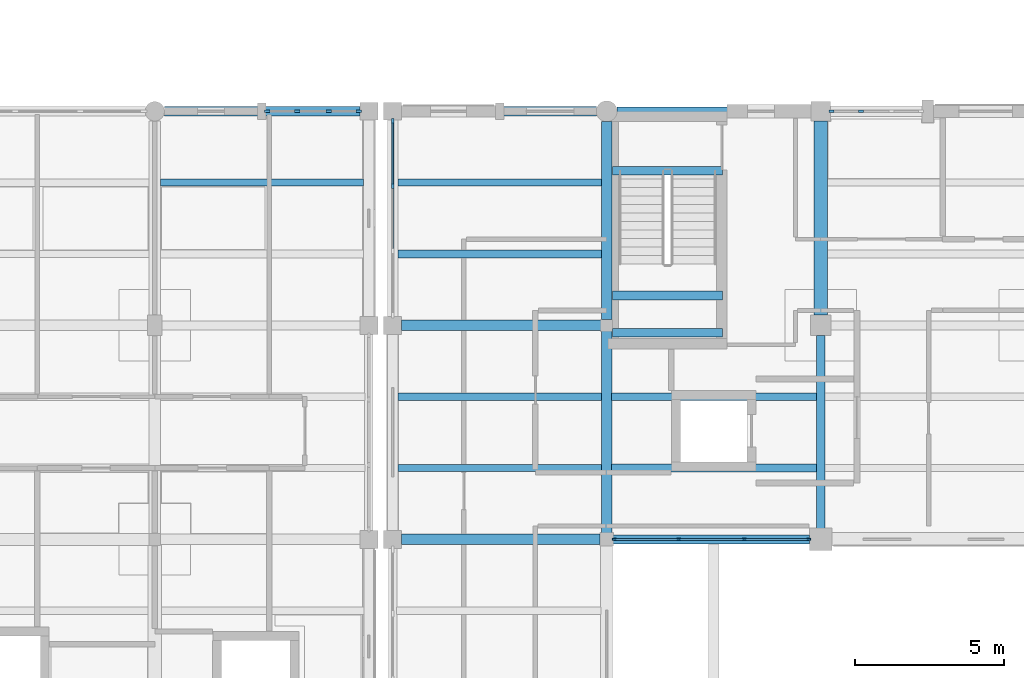
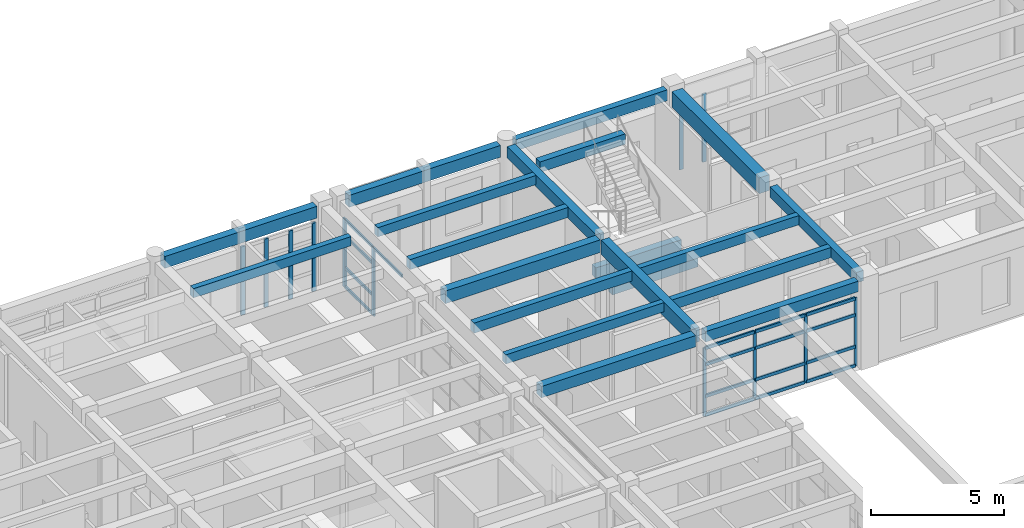
# One storey, part 34 of 110: 29 members, 20 beams, 4 elements without a shape of their own.
"""IFC4 building model written with IfcOpenShell, lengths in metres."""

from ifc_helpers import new_model, si_unit, direction, frame, origin, origin_2d, place, context, subcontext, project, spatial, rectangle, extrude, material, material_profile, profile_set, type_object, element, aggregate, save


model = new_model("IFC4")

# Units and contexts
model_context = context("Model", 3, precision=1e-05, world=origin(), true_north=direction((0.0, 1.0)))
body_context = subcontext(model_context, "Body", "Model", "MODEL_VIEW")
ifc_project = project(units=[si_unit("LENGTHUNIT", "METRE"), si_unit("AREAUNIT", "SQUARE_METRE"), si_unit("VOLUMEUNIT", "CUBIC_METRE"), si_unit("PLANEANGLEUNIT", "RADIAN"), si_unit("MASSUNIT", "GRAM", prefix="KILO")], contexts=[model_context])

# Site, building, storey
site_placement = place(None, origin())
site = spatial("IfcSite", under=ifc_project, at=site_placement, CompositionType="ELEMENT")
building_placement = place(site_placement, origin())
building = spatial("IfcBuilding", under=site, at=building_placement, Name="Steenspoor Specialist Clinic", CompositionType="ELEMENT")
storey_placement = place(building_placement, frame((0.0, 0.0, 4.800048828125)))
storey = spatial("IfcBuildingStorey", under=building, at=storey_placement, Name="L01", CompositionType="ELEMENT", Elevation=4.800048828125)

# Beams
ifc_material_1 = material(Name="Concrete C35/45", Category="concrete")
ifc_material_profile_1 = material_profile(ifc_material_1, rectangle(XDim=0.300048828125, YDim=0.47998046875, at=origin_2d()), Name="RC-BM-300X480")
ifc_profile_set_1 = profile_set([ifc_material_profile_1], Name="Concrete C35/45")
beam_type_1 = type_object("IfcBeamType", Name="BM-RC-300X480", PredefinedType="BEAM", material=ifc_profile_set_1)
for number, where, z_axis, x_axis, name in (
    (1, (59.800048828125, 102.14990234375, 1.659912109375), (1.0, 0.0, 0.0), (0.0, 1.0, 0.0), "Stair Mid-Landing Bearer 1 ST-V4A L01"),
    (2, (59.800048828125, 100.89990234375, 1.659912109375), (1.0, 0.0, 0.0), (0.0, 1.0, 0.0), "Stair Mid-Landing Bearer 2 ST-V4A L01"),
    (3, (59.800048828125, 106.35009765625, 3.9599609375), (1.0, 0.0, 0.0), (0.0, 1.0, 0.0), "Stair Well Trimmer Beam ST-V4A L01"),
):
    element("IfcBeam", number, at=place(storey_placement, frame(where, z_axis=z_axis, x_axis=x_axis)), inside=storey, type_object=beam_type_1, Name=name, PredefinedType="BEAM", context=body_context, shape_type="SweptSolid", body=[
        extrude(rectangle(XDim=0.300048828125, YDim=0.47998046875, at=origin_2d()), origin(), (0.0, 0.0, 1.0), 3.699951171875),
    ])
beam_1_placement = place(storey_placement, frame((59.820068359375, 93.949951171875, 3.7099609375), z_axis=(1.0, 0.0, 0.0), x_axis=(0.0, 1.0, 0.0)))
element("IfcBeam", 4, at=beam_1_placement, inside=storey, type_object=beam_type_1, Name="BM-V4-L01-X0498", PredefinedType="BEAM", context=body_context, shape_type="SweptSolid", body=[
    extrude(rectangle(XDim=0.300048828125, YDim=0.47998046875, at=origin_2d()), origin(), (0.0, 0.0, 1.0), 6.60986328125),
])
beam_2_placement = place(storey_placement, frame((66.800048828125, 94.320068359375, 3.7099609375), z_axis=(0.0, 1.0, 0.0), x_axis=(-1.0, 0.0, 0.0)))
element("IfcBeam", 5, at=beam_2_placement, inside=storey, type_object=beam_type_1, Name="BM-V4-L01-Y0535", PredefinedType="BEAM", context=body_context, shape_type="SweptSolid", body=[
    extrude(rectangle(XDim=0.300048828125, YDim=0.47998046875, at=origin_2d()), origin(), (0.0, 0.0, 1.0), 6.48486328125),
])
ifc_material_profile_2 = material_profile(ifc_material_1, rectangle(XDim=0.35009765625, YDim=0.52001953125, at=origin_2d()), Name="RC-BM-350X520")
ifc_profile_set_2 = profile_set([ifc_material_profile_2], Name="Concrete C35/45")
beam_type_2 = type_object("IfcBeamType", Name="BM-RC-350X520", PredefinedType="BEAM", material=ifc_profile_set_2)
beam_3_placement = place(storey_placement, frame((52.695068359375, 93.949951171875, 3.68994140625), z_axis=(1.0, 0.0, 0.0), x_axis=(0.0, 1.0, 0.0)))
element("IfcBeam", 6, at=beam_3_placement, inside=storey, type_object=beam_type_2, Name="BM-V4-L01-X0497", PredefinedType="BEAM", context=body_context, shape_type="SweptSolid", body=[
    extrude(rectangle(XDim=0.35009765625, YDim=0.52001953125, at=origin_2d()), origin(), (0.0, 0.0, 1.0), 6.684814453125),
])
beam_4_placement = place(storey_placement, frame((59.60009765625, 101.344970703125, 3.68994140625), z_axis=(0.0, 1.0, 0.0), x_axis=(-1.0, 0.0, 0.0)))
element("IfcBeam", 7, at=beam_4_placement, inside=storey, type_object=beam_type_2, Name="BM-V4-L01-Y0532", PredefinedType="BEAM", context=body_context, shape_type="SweptSolid", body=[
    extrude(rectangle(XDim=0.35009765625, YDim=0.52001953125, at=origin_2d()), origin(), (0.0, 0.0, 1.0), 6.659912109375),
])
ifc_material_profile_3 = material_profile(ifc_material_1, rectangle(XDim=0.35009765625, YDim=0.580078125, at=origin_2d()), Name="RC-BM-350X580")
ifc_profile_set_3 = profile_set([ifc_material_profile_3], Name="Concrete C35/45")
beam_type_3 = type_object("IfcBeamType", Name="BM-RC-350X580", PredefinedType="BEAM", material=ifc_profile_set_3)
beam_5_placement = place(storey_placement, frame((52.695068359375, 101.14990234375, 3.659912109375), z_axis=(1.0, 0.0, 0.0), x_axis=(0.0, 1.0, 0.0)))
element("IfcBeam", 8, at=beam_5_placement, inside=storey, type_object=beam_type_3, Name="BM-V4-L01-X0506", PredefinedType="BEAM", context=body_context, shape_type="SweptSolid", body=[
    extrude(rectangle(XDim=0.35009765625, YDim=0.580078125, at=origin_2d()), origin(), (0.0, 0.0, 1.0), 6.7099609375),
])
ifc_material_profile_4 = material_profile(ifc_material_1, rectangle(XDim=0.35009765625, YDim=0.64990234375, at=origin_2d()), Name="RC-BM-350X650")
ifc_profile_set_4 = profile_set([ifc_material_profile_4], Name="Concrete C35/45")
beam_type_4 = type_object("IfcBeamType", Name="BM-RC-350X650", PredefinedType="BEAM", material=ifc_profile_set_4)
beam_6_placement = place(storey_placement, frame((59.60009765625, 94.169921875, 3.625), z_axis=(0.0, 1.0, 0.0), x_axis=(-1.0, 0.0, 0.0)))
element("IfcBeam", 9, at=beam_6_placement, inside=storey, type_object=beam_type_4, Name="BM-V4-L01-Y0531", PredefinedType="BEAM", context=body_context, shape_type="SweptSolid", body=[
    extrude(rectangle(XDim=0.35009765625, YDim=0.64990234375, at=origin_2d()), origin(), (0.0, 0.0, 1.0), 6.78515625),
])
ifc_material_profile_5 = material_profile(ifc_material_1, rectangle(XDim=0.449951171875, YDim=0.719970703125, at=origin_2d()), Name="RC-BM-450X720")
ifc_profile_set_5 = profile_set([ifc_material_profile_5], Name="Concrete C35/45")
beam_type_5 = type_object("IfcBeamType", Name="BM-RC-450X720", PredefinedType="BEAM", material=ifc_profile_set_5)
beam_7_placement = place(storey_placement, frame((66.800048828125, 101.4951171875, 3.58984375), z_axis=(0.0, 1.0, 0.0), x_axis=(-1.0, 0.0, 0.0)))
element("IfcBeam", 10, at=beam_7_placement, inside=storey, type_object=beam_type_5, Name="BM-V4-L01-Y0536", PredefinedType="BEAM", context=body_context, shape_type="SweptSolid", body=[
    extrude(rectangle(XDim=0.449951171875, YDim=0.719970703125, at=origin_2d()), origin(), (0.0, 0.0, 1.0), 6.534912109375),
])

# Curtain wall, members
ifc_material_2 = material(Name="Thermally broken aluminium and low-emissivity glass", Category="aluminium")
curtain_wall_type_1 = type_object("IfcCurtainWallType", Name="CW-L00-660X415", PredefinedType="USERDEFINED", material=ifc_material_2)
curtain_wall_1_placement = place(storey_placement, origin())
curtain_wall_1 = element("IfcCurtainWall", 11, at=curtain_wall_1_placement, inside=storey, type_object=curtain_wall_type_1, Name="Unitised Curtain Wall CW-V4-L01-076", ObjectType="UNITISED GLAZING", PredefinedType="USERDEFINED")
ifc_material_3 = material(Name="Thermally broken aluminium 6063-T6", Category="aluminium")
ifc_material_profile_6 = material_profile(ifc_material_3, rectangle(XDim=0.06005859375, YDim=0.135009765625, at=origin_2d()), Name="CWM-60X135")
ifc_profile_set_6 = profile_set([ifc_material_profile_6], Name="Thermally broken aluminium 6063-T6")
member_type_1 = type_object("IfcMemberType", Name="CW-MULL-60X135", PredefinedType="MULLION", material=ifc_profile_set_6)
member_1_placement = place(storey_placement, frame((66.39501953125, 93.949951171875, 0.0), z_axis=(0.0, 0.0, 1.0), x_axis=(0.0, -1.0, 0.0)))
member_1 = element("IfcMember", 12, at=member_1_placement, type_object=member_type_1, Name="CW-04 mullion 1", PredefinedType="MULLION", context=body_context, shape_type="SweptSolid", body=[
    extrude(rectangle(XDim=0.06005859375, YDim=0.135009765625, at=origin_2d()), origin(), (0.0, 0.0, 1.0), 3.1298828125),
])
member_2_placement = place(storey_placement, frame((64.22509765625, 93.949951171875, 0.0), z_axis=(0.0, 0.0, 1.0), x_axis=(0.0, -1.0, 0.0)))
member_2 = element("IfcMember", 13, at=member_2_placement, type_object=member_type_1, Name="CW-04 mullion 2", PredefinedType="MULLION", context=body_context, shape_type="SweptSolid", body=[
    extrude(rectangle(XDim=0.06005859375, YDim=0.135009765625, at=origin_2d()), origin(), (0.0, 0.0, 1.0), 3.1298828125),
])
member_3_placement = place(storey_placement, frame((62.02490234375, 93.949951171875, 0.0), z_axis=(0.0, 0.0, 1.0), x_axis=(0.0, -1.0, 0.0)))
member_3 = element("IfcMember", 14, at=member_3_placement, type_object=member_type_1, Name="CW-04 mullion 3", PredefinedType="MULLION", context=body_context, shape_type="SweptSolid", body=[
    extrude(rectangle(XDim=0.06005859375, YDim=0.135009765625, at=origin_2d()), origin(), (0.0, 0.0, 1.0), 3.1298828125),
])
member_4_placement = place(storey_placement, frame((59.85498046875, 93.949951171875, 0.0), z_axis=(0.0, 0.0, 1.0), x_axis=(0.0, -1.0, 0.0)))
member_4 = element("IfcMember", 15, at=member_4_placement, type_object=member_type_1, Name="CW-04 mullion 4", PredefinedType="MULLION", context=body_context, shape_type="SweptSolid", body=[
    extrude(rectangle(XDim=0.06005859375, YDim=0.135009765625, at=origin_2d()), origin(), (0.0, 0.0, 1.0), 3.1298828125),
])

curtain_wall_type_2 = type_object("IfcCurtainWallType", Name="CW-WLK-640X340", PredefinedType="USERDEFINED", material=ifc_material_2)
curtain_wall_2_placement = place(storey_placement, origin())
curtain_wall_2 = element("IfcCurtainWall", 16, at=curtain_wall_2_placement, inside=storey, type_object=curtain_wall_type_2, Name="Unitised Curtain Wall CW-V4-L01-068", ObjectType="UNITISED GLAZING", PredefinedType="USERDEFINED")
ifc_material_profile_7 = material_profile(ifc_material_3, rectangle(XDim=0.070068359375, YDim=0.1650390625, at=origin_2d()), Name="CWM-70X165")
ifc_profile_set_7 = profile_set([ifc_material_profile_7], Name="Thermally broken aluminium 6063-T6")
member_type_2 = type_object("IfcMemberType", Name="CW-MULL-70X165", PredefinedType="MULLION", material=ifc_profile_set_7)
member_5_placement = place(storey_placement, frame((67.159912109375, 108.35009765625, 0.0), z_axis=(0.0, 0.0, 1.0), x_axis=(0.0, 1.0, 0.0)))
member_5 = element("IfcMember", 17, at=member_5_placement, type_object=member_type_2, Name="CW-20 mullion 1", PredefinedType="MULLION", context=body_context, shape_type="SweptSolid", body=[
    extrude(rectangle(XDim=0.070068359375, YDim=0.1650390625, at=origin_2d()), origin(), (0.0, 0.0, 1.0), 3.1298828125),
])
member_6_placement = place(storey_placement, frame((68.1533203125, 108.35009765625, 0.0), z_axis=(0.0, 0.0, 1.0), x_axis=(0.0, 1.0, 0.0)))
member_6 = element("IfcMember", 18, at=member_6_placement, type_object=member_type_2, Name="CW-20 mullion 2", PredefinedType="MULLION", context=body_context, shape_type="SweptSolid", body=[
    extrude(rectangle(XDim=0.070068359375, YDim=0.1650390625, at=origin_2d()), origin(), (0.0, 0.0, 1.0), 3.1298828125),
])
aggregate(curtain_wall_2, [member_5, member_6])

curtain_wall_type_3 = type_object("IfcCurtainWallType", Name="CW-SCR-360X320", PredefinedType="USERDEFINED", material=ifc_material_2)
curtain_wall_3_placement = place(storey_placement, origin())
curtain_wall_3 = element("IfcCurtainWall", 19, at=curtain_wall_3_placement, inside=storey, type_object=curtain_wall_type_3, Name="Unitised Curtain Wall CW-V4-L01-067", ObjectType="UNITISED GLAZING", PredefinedType="USERDEFINED")
ifc_material_profile_8 = material_profile(ifc_material_3, rectangle(XDim=0.080078125, YDim=0.179931640625, at=origin_2d()), Name="CWM-80X180")
ifc_profile_set_8 = profile_set([ifc_material_profile_8], Name="Thermally broken aluminium 6063-T6")
member_type_3 = type_object("IfcMemberType", Name="CW-MULL-80X180", PredefinedType="MULLION", material=ifc_profile_set_8)
member_7_placement = place(storey_placement, frame((52.39990234375, 105.85009765625, 0.0), z_axis=(0.0, 0.0, 1.0), x_axis=(-1.0, 0.0, 0.0)))
member_7 = element("IfcMember", 20, at=member_7_placement, type_object=member_type_3, Name="CW-19 mullion 3", PredefinedType="MULLION", context=body_context, shape_type="SweptSolid", body=[
    extrude(rectangle(XDim=0.080078125, YDim=0.179931640625, at=origin_2d()), origin(), (0.0, 0.0, 1.0), 3.1298828125),
])
member_8_placement = place(storey_placement, frame((52.39990234375, 108.010009765625, 0.0), z_axis=(0.0, 0.0, 1.0), x_axis=(-1.0, 0.0, 0.0)))
member_8 = element("IfcMember", 21, at=member_8_placement, type_object=member_type_3, Name="CW-19 mullion 4", PredefinedType="MULLION", context=body_context, shape_type="SweptSolid", body=[
    extrude(rectangle(XDim=0.080078125, YDim=0.179931640625, at=origin_2d()), origin(), (0.0, 0.0, 1.0), 3.1298828125),
])

curtain_wall_type_4 = type_object("IfcCurtainWallType", Name="CW-HALL-660X820", PredefinedType="USERDEFINED", material=ifc_material_2)
curtain_wall_4_placement = place(storey_placement, origin())
curtain_wall_4 = element("IfcCurtainWall", 22, at=curtain_wall_4_placement, inside=storey, type_object=curtain_wall_type_4, Name="Unitised Curtain Wall CW-V5-L01-145", ObjectType="UNITISED GLAZING", PredefinedType="USERDEFINED")
member_9_placement = place(storey_placement, frame((48.179931640625, 108.35009765625, 0.0), z_axis=(0.0, 0.0, 1.0), x_axis=(0.0, 1.0, 0.0)))
member_9 = element("IfcMember", 23, at=member_9_placement, type_object=member_type_3, Name="CW-01 mullion 1", PredefinedType="MULLION", context=body_context, shape_type="SweptSolid", body=[
    extrude(rectangle(XDim=0.080078125, YDim=0.179931640625, at=origin_2d()), origin(), (0.0, 0.0, 1.0), 3.1298828125),
])
member_10_placement = place(storey_placement, frame((49.193359375, 108.35009765625, 0.0), z_axis=(0.0, 0.0, 1.0), x_axis=(0.0, 1.0, 0.0)))
member_10 = element("IfcMember", 24, at=member_10_placement, type_object=member_type_3, Name="CW-01 mullion 2", PredefinedType="MULLION", context=body_context, shape_type="SweptSolid", body=[
    extrude(rectangle(XDim=0.080078125, YDim=0.179931640625, at=origin_2d()), origin(), (0.0, 0.0, 1.0), 3.1298828125),
])
member_11_placement = place(storey_placement, frame((50.24658203125, 108.35009765625, 0.0), z_axis=(0.0, 0.0, 1.0), x_axis=(0.0, 1.0, 0.0)))
member_11 = element("IfcMember", 25, at=member_11_placement, type_object=member_type_3, Name="CW-01 mullion 3", PredefinedType="MULLION", context=body_context, shape_type="SweptSolid", body=[
    extrude(rectangle(XDim=0.080078125, YDim=0.179931640625, at=origin_2d()), origin(), (0.0, 0.0, 1.0), 3.1298828125),
])
member_12_placement = place(storey_placement, frame((51.260009765625, 108.35009765625, 0.0), z_axis=(0.0, 0.0, 1.0), x_axis=(0.0, 1.0, 0.0)))
member_12 = element("IfcMember", 26, at=member_12_placement, type_object=member_type_3, Name="CW-01 mullion 4", PredefinedType="MULLION", context=body_context, shape_type="SweptSolid", body=[
    extrude(rectangle(XDim=0.080078125, YDim=0.179931640625, at=origin_2d()), origin(), (0.0, 0.0, 1.0), 3.1298828125),
])
aggregate(curtain_wall_4, [member_9, member_10, member_11, member_12])

# Member
ifc_material_profile_9 = material_profile(ifc_material_3, rectangle(XDim=0.06494140625, YDim=0.1298828125, at=origin_2d()), Name="CWT-65X130")
ifc_profile_set_9 = profile_set([ifc_material_profile_9], Name="Thermally broken aluminium 6063-T6")
member_type_4 = type_object("IfcMemberType", Name="CW-TRAN-65X130", PredefinedType="USERDEFINED", material=ifc_profile_set_9)
member_13_placement = place(storey_placement, frame((52.39990234375, 103.68994140625, 3.097412109375), z_axis=(0.0, 1.0, 0.0), x_axis=(-1.0, 0.0, 0.0)))
member_13 = element("IfcMember", 27, at=member_13_placement, type_object=member_type_4, Name="CW-19 transom 2.4", ObjectType="TRANSOM", PredefinedType="USERDEFINED", context=body_context, shape_type="SweptSolid", body=[
    extrude(rectangle(XDim=0.06494140625, YDim=0.1298828125, at=origin_2d()), origin(), (0.0, 0.0, 1.0), 2.1201171875),
])

member_14_placement = place(storey_placement, frame((52.39990234375, 105.889892578125, 0.032470703125), z_axis=(0.0, 1.0, 0.0), x_axis=(-1.0, 0.0, 0.0)))
member_14 = element("IfcMember", 28, at=member_14_placement, type_object=member_type_4, Name="CW-19 transom 3.1", ObjectType="TRANSOM", PredefinedType="USERDEFINED", context=body_context, shape_type="SweptSolid", body=[
    extrude(rectangle(XDim=0.06494140625, YDim=0.1298828125, at=origin_2d()), origin(), (0.0, 0.0, 1.0), 2.080078125),
])

member_15_placement = place(storey_placement, frame((52.39990234375, 105.889892578125, 0.89990234375), z_axis=(0.0, 1.0, 0.0), x_axis=(-1.0, 0.0, 0.0)))
member_15 = element("IfcMember", 29, at=member_15_placement, type_object=member_type_4, Name="CW-19 transom 3.2", ObjectType="TRANSOM", PredefinedType="USERDEFINED", context=body_context, shape_type="SweptSolid", body=[
    extrude(rectangle(XDim=0.06494140625, YDim=0.1298828125, at=origin_2d()), origin(), (0.0, 0.0, 1.0), 2.080078125),
])

member_16_placement = place(storey_placement, frame((52.39990234375, 105.889892578125, 2.349853515625), z_axis=(0.0, 1.0, 0.0), x_axis=(-1.0, 0.0, 0.0)))
member_16 = element("IfcMember", 30, at=member_16_placement, type_object=member_type_4, Name="CW-19 transom 3.3", ObjectType="TRANSOM", PredefinedType="USERDEFINED", context=body_context, shape_type="SweptSolid", body=[
    extrude(rectangle(XDim=0.06494140625, YDim=0.1298828125, at=origin_2d()), origin(), (0.0, 0.0, 1.0), 2.080078125),
])

member_17_placement = place(storey_placement, frame((52.39990234375, 105.889892578125, 3.097412109375), z_axis=(0.0, 1.0, 0.0), x_axis=(-1.0, 0.0, 0.0)))
member_17 = element("IfcMember", 31, at=member_17_placement, type_object=member_type_4, Name="CW-19 transom 3.4", ObjectType="TRANSOM", PredefinedType="USERDEFINED", context=body_context, shape_type="SweptSolid", body=[
    extrude(rectangle(XDim=0.06494140625, YDim=0.1298828125, at=origin_2d()), origin(), (0.0, 0.0, 1.0), 2.080078125),
])

aggregate(curtain_wall_3, [member_7, member_8, member_13, member_14, member_15, member_16, member_17])

ifc_material_profile_10 = material_profile(ifc_material_3, rectangle(XDim=0.070068359375, YDim=0.14501953125, at=origin_2d()), Name="CWT-70X145")
ifc_profile_set_10 = profile_set([ifc_material_profile_10], Name="Thermally broken aluminium 6063-T6")
member_type_5 = type_object("IfcMemberType", Name="CW-TRAN-70X145", PredefinedType="USERDEFINED", material=ifc_profile_set_10)
member_18_placement = place(storey_placement, frame((66.364990234375, 93.949951171875, 0.034912109375), z_axis=(-1.0, 0.0, 0.0), x_axis=(0.0, -1.0, 0.0)))
member_18 = element("IfcMember", 32, at=member_18_placement, type_object=member_type_5, Name="CW-04 transom 1.1", ObjectType="TRANSOM", PredefinedType="USERDEFINED", context=body_context, shape_type="SweptSolid", body=[
    extrude(rectangle(XDim=0.070068359375, YDim=0.14501953125, at=origin_2d()), origin(), (0.0, 0.0, 1.0), 2.110107421875),
])

member_19_placement = place(storey_placement, frame((66.364990234375, 93.949951171875, 0.89990234375), z_axis=(-1.0, 0.0, 0.0), x_axis=(0.0, -1.0, 0.0)))
member_19 = element("IfcMember", 33, at=member_19_placement, type_object=member_type_5, Name="CW-04 transom 1.2", ObjectType="TRANSOM", PredefinedType="USERDEFINED", context=body_context, shape_type="SweptSolid", body=[
    extrude(rectangle(XDim=0.070068359375, YDim=0.14501953125, at=origin_2d()), origin(), (0.0, 0.0, 1.0), 2.110107421875),
])

member_20_placement = place(storey_placement, frame((66.364990234375, 93.949951171875, 2.349853515625), z_axis=(-1.0, 0.0, 0.0), x_axis=(0.0, -1.0, 0.0)))
member_20 = element("IfcMember", 34, at=member_20_placement, type_object=member_type_5, Name="CW-04 transom 1.3", ObjectType="TRANSOM", PredefinedType="USERDEFINED", context=body_context, shape_type="SweptSolid", body=[
    extrude(rectangle(XDim=0.070068359375, YDim=0.14501953125, at=origin_2d()), origin(), (0.0, 0.0, 1.0), 2.110107421875),
])

member_21_placement = place(storey_placement, frame((66.364990234375, 93.949951171875, 3.094970703125), z_axis=(-1.0, 0.0, 0.0), x_axis=(0.0, -1.0, 0.0)))
member_21 = element("IfcMember", 35, at=member_21_placement, type_object=member_type_5, Name="CW-04 transom 1.4", ObjectType="TRANSOM", PredefinedType="USERDEFINED", context=body_context, shape_type="SweptSolid", body=[
    extrude(rectangle(XDim=0.070068359375, YDim=0.14501953125, at=origin_2d()), origin(), (0.0, 0.0, 1.0), 2.110107421875),
])

member_22_placement = place(storey_placement, frame((64.195068359375, 93.949951171875, 0.034912109375), z_axis=(-1.0, 0.0, 0.0), x_axis=(0.0, -1.0, 0.0)))
member_22 = element("IfcMember", 36, at=member_22_placement, type_object=member_type_5, Name="CW-04 transom 2.1", ObjectType="TRANSOM", PredefinedType="USERDEFINED", context=body_context, shape_type="SweptSolid", body=[
    extrude(rectangle(XDim=0.070068359375, YDim=0.14501953125, at=origin_2d()), origin(), (0.0, 0.0, 1.0), 2.14013671875),
])

member_23_placement = place(storey_placement, frame((64.195068359375, 93.949951171875, 0.89990234375), z_axis=(-1.0, 0.0, 0.0), x_axis=(0.0, -1.0, 0.0)))
member_23 = element("IfcMember", 37, at=member_23_placement, type_object=member_type_5, Name="CW-04 transom 2.2", ObjectType="TRANSOM", PredefinedType="USERDEFINED", context=body_context, shape_type="SweptSolid", body=[
    extrude(rectangle(XDim=0.070068359375, YDim=0.14501953125, at=origin_2d()), origin(), (0.0, 0.0, 1.0), 2.14013671875),
])

member_24_placement = place(storey_placement, frame((64.195068359375, 93.949951171875, 2.349853515625), z_axis=(-1.0, 0.0, 0.0), x_axis=(0.0, -1.0, 0.0)))
member_24 = element("IfcMember", 38, at=member_24_placement, type_object=member_type_5, Name="CW-04 transom 2.3", ObjectType="TRANSOM", PredefinedType="USERDEFINED", context=body_context, shape_type="SweptSolid", body=[
    extrude(rectangle(XDim=0.070068359375, YDim=0.14501953125, at=origin_2d()), origin(), (0.0, 0.0, 1.0), 2.14013671875),
])

member_25_placement = place(storey_placement, frame((64.195068359375, 93.949951171875, 3.094970703125), z_axis=(-1.0, 0.0, 0.0), x_axis=(0.0, -1.0, 0.0)))
member_25 = element("IfcMember", 39, at=member_25_placement, type_object=member_type_5, Name="CW-04 transom 2.4", ObjectType="TRANSOM", PredefinedType="USERDEFINED", context=body_context, shape_type="SweptSolid", body=[
    extrude(rectangle(XDim=0.070068359375, YDim=0.14501953125, at=origin_2d()), origin(), (0.0, 0.0, 1.0), 2.14013671875),
])

member_26_placement = place(storey_placement, frame((61.9951171875, 93.949951171875, 0.034912109375), z_axis=(-1.0, 0.0, 0.0), x_axis=(0.0, -1.0, 0.0)))
member_26 = element("IfcMember", 40, at=member_26_placement, type_object=member_type_5, Name="CW-04 transom 3.1", ObjectType="TRANSOM", PredefinedType="USERDEFINED", context=body_context, shape_type="SweptSolid", body=[
    extrude(rectangle(XDim=0.070068359375, YDim=0.14501953125, at=origin_2d()), origin(), (0.0, 0.0, 1.0), 2.110107421875),
])

member_27_placement = place(storey_placement, frame((61.9951171875, 93.949951171875, 0.89990234375), z_axis=(-1.0, 0.0, 0.0), x_axis=(0.0, -1.0, 0.0)))
member_27 = element("IfcMember", 41, at=member_27_placement, type_object=member_type_5, Name="CW-04 transom 3.2", ObjectType="TRANSOM", PredefinedType="USERDEFINED", context=body_context, shape_type="SweptSolid", body=[
    extrude(rectangle(XDim=0.070068359375, YDim=0.14501953125, at=origin_2d()), origin(), (0.0, 0.0, 1.0), 2.110107421875),
])

member_28_placement = place(storey_placement, frame((61.9951171875, 93.949951171875, 2.349853515625), z_axis=(-1.0, 0.0, 0.0), x_axis=(0.0, -1.0, 0.0)))
member_28 = element("IfcMember", 42, at=member_28_placement, type_object=member_type_5, Name="CW-04 transom 3.3", ObjectType="TRANSOM", PredefinedType="USERDEFINED", context=body_context, shape_type="SweptSolid", body=[
    extrude(rectangle(XDim=0.070068359375, YDim=0.14501953125, at=origin_2d()), origin(), (0.0, 0.0, 1.0), 2.110107421875),
])

member_29_placement = place(storey_placement, frame((61.9951171875, 93.949951171875, 3.094970703125), z_axis=(-1.0, 0.0, 0.0), x_axis=(0.0, -1.0, 0.0)))
member_29 = element("IfcMember", 43, at=member_29_placement, type_object=member_type_5, Name="CW-04 transom 3.4", ObjectType="TRANSOM", PredefinedType="USERDEFINED", context=body_context, shape_type="SweptSolid", body=[
    extrude(rectangle(XDim=0.070068359375, YDim=0.14501953125, at=origin_2d()), origin(), (0.0, 0.0, 1.0), 2.110107421875),
])

aggregate(curtain_wall_1, [member_1, member_2, member_3, member_4, member_18, member_19, member_20, member_21, member_22, member_23, member_24, member_25, member_26, member_27, member_28, member_29])

# Beams
ifc_material_profile_11 = material_profile(ifc_material_1, rectangle(XDim=0.239990234375, YDim=0.419921875, at=origin_2d()), Name="RC-JT-240X420")
ifc_profile_set_11 = profile_set([ifc_material_profile_11], Name="Concrete C35/45")
beam_type_6 = type_object("IfcBeamType", Name="JT-RC-240X420", PredefinedType="JOIST", material=ifc_profile_set_11)
for number, where, z_axis, x_axis, name in (
    (44, (52.574951171875, 96.35009765625, 3.739990234375), (1.0, 0.0, 0.0), (0.0, 1.0, 0.0), "JT-V4-L01-0581"),
    (45, (52.574951171875, 105.949951171875, 3.739990234375), (1.0, 0.0, 0.0), (0.0, 1.0, 0.0), "JT-V4-L01-0584"),
):
    element("IfcBeam", number, at=place(storey_placement, frame(where, z_axis=z_axis, x_axis=x_axis)), inside=storey, type_object=beam_type_6, Name=name, PredefinedType="JOIST", context=body_context, shape_type="SweptSolid", body=[
        extrude(rectangle(XDim=0.239990234375, YDim=0.419921875, at=origin_2d()), origin(), (0.0, 0.0, 1.0), 6.85498046875),
    ])
beam_8_placement = place(storey_placement, frame((59.77001953125, 98.75, 3.739990234375), z_axis=(1.0, 0.0, 0.0), x_axis=(0.0, 1.0, 0.0)))
element("IfcBeam", 46, at=beam_8_placement, inside=storey, type_object=beam_type_6, Name="JT-V4-L01-0591", PredefinedType="JOIST", context=body_context, shape_type="SweptSolid", body=[
    extrude(rectangle(XDim=0.239990234375, YDim=0.419921875, at=origin_2d()), origin(), (0.0, 0.0, 1.0), 6.885009765625),
])
beam_9_placement = place(storey_placement, frame((44.594970703125, 105.949951171875, 3.739990234375), z_axis=(1.0, 0.0, 0.0), x_axis=(0.0, 1.0, 0.0)))
element("IfcBeam", 47, at=beam_9_placement, inside=storey, type_object=beam_type_6, Name="JT-V5-L01-1249", PredefinedType="JOIST", context=body_context, shape_type="SweptSolid", body=[
    extrude(rectangle(XDim=0.239990234375, YDim=0.419921875, at=origin_2d()), origin(), (0.0, 0.0, 1.0), 6.830078125),
])
ifc_material_profile_12 = material_profile(ifc_material_1, rectangle(XDim=0.260009765625, YDim=0.4599609375, at=origin_2d()), Name="RC-JT-260X460")
ifc_profile_set_12 = profile_set([ifc_material_profile_12], Name="Concrete C35/45")
beam_type_7 = type_object("IfcBeamType", Name="JT-RC-260X460", PredefinedType="JOIST", material=ifc_profile_set_12)
for number, where, z_axis, x_axis, name in (
    (48, (52.574951171875, 98.75, 3.719970703125), (1.0, 0.0, 0.0), (0.0, 1.0, 0.0), "JT-V4-L01-0582"),
    (49, (52.574951171875, 103.550048828125, 3.719970703125), (1.0, 0.0, 0.0), (0.0, 1.0, 0.0), "JT-V4-L01-0583"),
):
    element("IfcBeam", number, at=place(storey_placement, frame(where, z_axis=z_axis, x_axis=x_axis)), inside=storey, type_object=beam_type_7, Name=name, PredefinedType="JOIST", context=body_context, shape_type="SweptSolid", body=[
        extrude(rectangle(XDim=0.260009765625, YDim=0.4599609375, at=origin_2d()), origin(), (0.0, 0.0, 1.0), 6.85498046875),
    ])
beam_10_placement = place(storey_placement, frame((59.77001953125, 96.35009765625, 3.719970703125), z_axis=(1.0, 0.0, 0.0), x_axis=(0.0, 1.0, 0.0)))
element("IfcBeam", 50, at=beam_10_placement, inside=storey, type_object=beam_type_7, Name="JT-V4-L01-0590", PredefinedType="JOIST", context=body_context, shape_type="SweptSolid", body=[
    extrude(rectangle(XDim=0.260009765625, YDim=0.4599609375, at=origin_2d()), origin(), (0.0, 0.0, 1.0), 6.885009765625),
])
ifc_material_profile_13 = material_profile(ifc_material_1, rectangle(XDim=0.280029296875, YDim=0.5, at=origin_2d()), Name="RC-SP-280X500")
ifc_profile_set_13 = profile_set([ifc_material_profile_13], Name="Concrete C35/45")
beam_type_8 = type_object("IfcBeamType", Name="SP-RC-280X500", PredefinedType="SPANDREL", material=ifc_profile_set_13)
beam_11_placement = place(storey_placement, frame((59.945068359375, 108.35009765625, 3.699951171875), z_axis=(1.0, 0.0, 0.0), x_axis=(0.0, 1.0, 0.0)))
element("IfcBeam", 51, at=beam_11_placement, inside=storey, type_object=beam_type_8, Name="BM-V4-L01-X0513", PredefinedType="SPANDREL", context=body_context, shape_type="SweptSolid", body=[
    extrude(rectangle(XDim=0.280029296875, YDim=0.5, at=origin_2d()), origin(), (0.0, 0.0, 1.0), 6.534912109375),
])
ifc_material_profile_14 = material_profile(ifc_material_1, rectangle(XDim=0.320068359375, YDim=0.5400390625, at=origin_2d()), Name="RC-SP-320X540")
ifc_profile_set_14 = profile_set([ifc_material_profile_14], Name="Concrete C35/45")
beam_type_9 = type_object("IfcBeamType", Name="SP-RC-320X540", PredefinedType="SPANDREL", material=ifc_profile_set_14)
beam_12_placement = place(storey_placement, frame((52.695068359375, 108.35009765625, 3.679931640625), z_axis=(1.0, 0.0, 0.0), x_axis=(0.0, 1.0, 0.0)))
element("IfcBeam", 52, at=beam_12_placement, inside=storey, type_object=beam_type_9, Name="BM-V4-L01-X0512", PredefinedType="SPANDREL", context=body_context, shape_type="SweptSolid", body=[
    extrude(rectangle(XDim=0.320068359375, YDim=0.5400390625, at=origin_2d()), origin(), (0.0, 0.0, 1.0), 6.559814453125),
])
beam_13_placement = place(storey_placement, frame((44.719970703125, 108.35009765625, 3.679931640625), z_axis=(1.0, 0.0, 0.0), x_axis=(0.0, 1.0, 0.0)))
element("IfcBeam", 53, at=beam_13_placement, inside=storey, type_object=beam_type_9, Name="BM-V5-L01-X1177", PredefinedType="SPANDREL", context=body_context, shape_type="SweptSolid", body=[
    extrude(rectangle(XDim=0.320068359375, YDim=0.5400390625, at=origin_2d()), origin(), (0.0, 0.0, 1.0), 6.5849609375),
])

save(model, "model.ifc")
